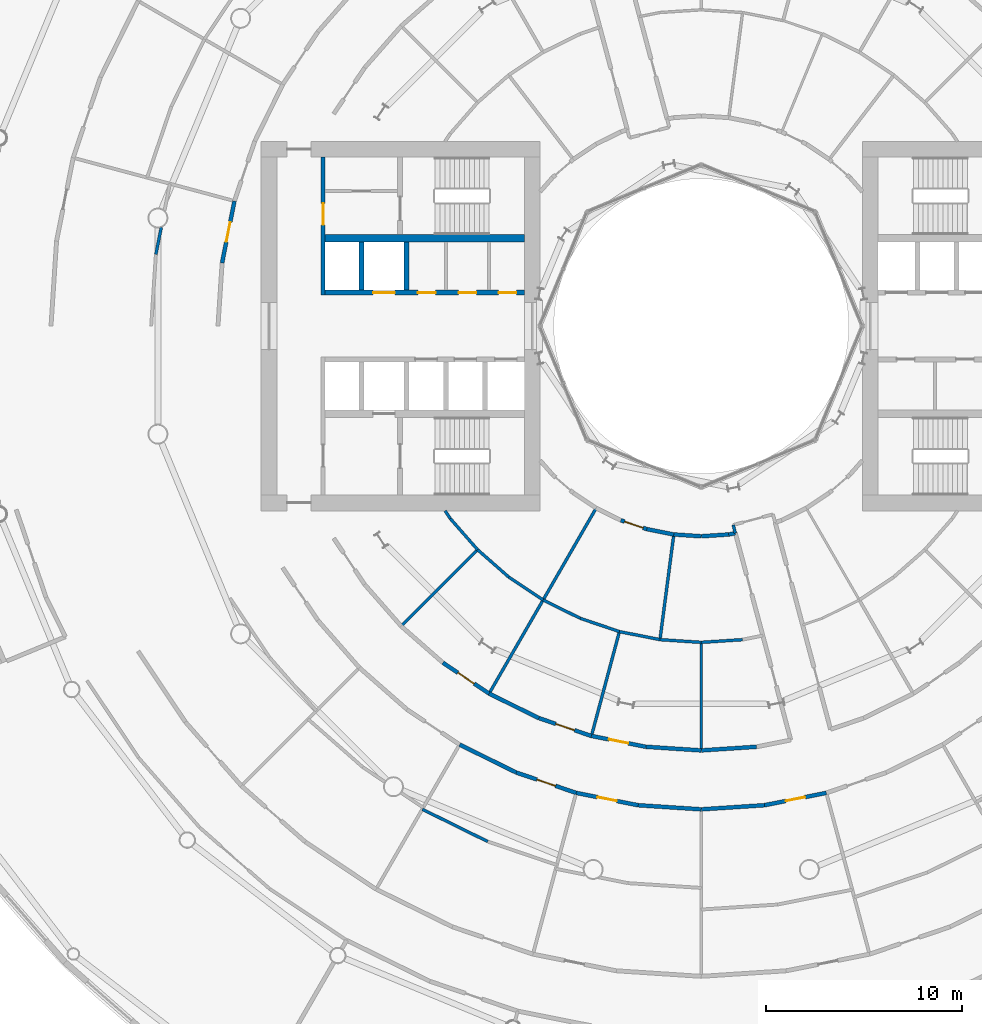
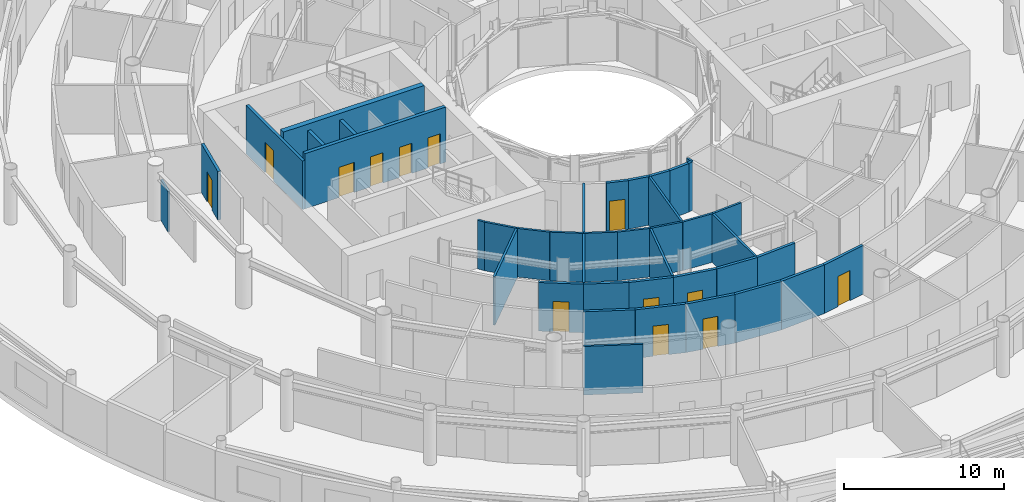
# One storey, part 15 of 29: 40 walls, 13 doors, 13 openings.
"""IFC4 building model written with IfcOpenShell, lengths in metres."""

from ifc_helpers import new_model, si_unit, direction, frame, frame_2d, origin, place, context, subcontext, project, spatial, rectangle, extrude, material, layer, layer_set, type_object, element, fill, save


model = new_model("IFC4")

# Units and contexts
model_context = context("Model", 3, precision=1e-05, world=origin(), true_north=direction((0.0, 1.0)))
body_context = subcontext(model_context, "Body", "Model", "MODEL_VIEW")
ifc_project = project(units=[si_unit("LENGTHUNIT", "METRE"), si_unit("AREAUNIT", "SQUARE_METRE"), si_unit("VOLUMEUNIT", "CUBIC_METRE"), si_unit("PLANEANGLEUNIT", "RADIAN"), si_unit("MASSUNIT", "GRAM", prefix="KILO")], contexts=[model_context])

# Site, building, storey
site_placement = place(None, origin())
site = spatial("IfcSite", under=ifc_project, at=site_placement, CompositionType="ELEMENT")
building_placement = place(site_placement, origin())
building = spatial("IfcBuilding", under=site, at=building_placement, Name="Maasbend Ring Residences", CompositionType="ELEMENT")
storey_placement = place(building_placement, frame((0.0, 0.0, 5.39990234375)))
storey = spatial("IfcBuildingStorey", under=building, at=storey_placement, Name="L01", CompositionType="ELEMENT", Elevation=5.39990234375)

# Wall, openings, doors
ifc_material_1 = material(Name="Concrete C70/85", Category="concrete")
ifc_layer_1 = layer(ifc_material_1, 0.25)
ifc_layer_set_1 = layer_set([ifc_layer_1], Name="Concrete C70/85")
wall_type_1 = type_object("IfcWallType", Name="CORE WALL 250 C70/85", PredefinedType="SHEAR", material=ifc_layer_set_1)
wall_1_placement = place(storey_placement, frame((-19.14990234375, 1.699951171875, 0.0), z_axis=(0.0, 0.0, 1.0), x_axis=(1.0, 0.0, 0.0)))
wall_1 = element("IfcWall", 1, at=wall_1_placement, inside=storey, type_object=wall_type_1, Name="L01 core W wall SPS", PredefinedType="SHEAR", context=body_context, shape_type="SweptSolid", body=[
    extrude(rectangle(XDim=10.14990234375, YDim=0.25, at=frame_2d((5.074951171875, 0.0))), origin(), (0.0, 0.0, 1.0), 4.2001953125),
])
opening_1_placement = place(wall_1_placement, frame((2.449951171875, 0.0, 0.0)))
opening_1 = element("IfcOpeningElement", 2, at=opening_1_placement, cuts=wall_1, Name="Opening LD-W0105", PredefinedType="OPENING", context=body_context, shape_type="SweptSolid", body=[
    extrude(rectangle(XDim=1.10009765625, YDim=2.300048828125, at=frame_2d((0.550048828125, 1.14990234375))), frame((0.0, 0.135009765625, 0.0), z_axis=(0.0, -1.0, 0.0), x_axis=(1.0, 0.0, 0.0)), (0.0, 0.0, 1.0), 0.27001953125),
])
opening_2_placement = place(wall_1_placement, frame((8.83740234375, 0.0, 0.0)))
opening_2 = element("IfcOpeningElement", 3, at=opening_2_placement, cuts=wall_1, Name="Opening D-W0106", PredefinedType="OPENING", context=body_context, shape_type="SweptSolid", body=[
    extrude(rectangle(XDim=0.89990234375, YDim=2.300048828125, at=frame_2d((0.449951171875, 1.14990234375))), frame((0.0, 0.135009765625, 0.0), z_axis=(0.0, -1.0, 0.0), x_axis=(1.0, 0.0, 0.0)), (0.0, 0.0, 1.0), 0.27001953125),
])
opening_3_placement = place(wall_1_placement, frame((6.800048828125, 0.0, 0.0)))
opening_3 = element("IfcOpeningElement", 4, at=opening_3_placement, cuts=wall_1, Name="Opening D-W0107", PredefinedType="OPENING", context=body_context, shape_type="SweptSolid", body=[
    extrude(rectangle(XDim=0.89990234375, YDim=2.300048828125, at=frame_2d((0.449951171875, 1.14990234375))), frame((0.0, 0.135009765625, 0.0), z_axis=(0.0, -1.0, 0.0), x_axis=(1.0, 0.0, 0.0)), (0.0, 0.0, 1.0), 0.27001953125),
])
opening_4_placement = place(wall_1_placement, frame((4.72509765625, 0.0, 0.0)))
opening_4 = element("IfcOpeningElement", 5, at=opening_4_placement, cuts=wall_1, Name="Opening D-W0108", PredefinedType="OPENING", context=body_context, shape_type="SweptSolid", body=[
    extrude(rectangle(XDim=0.89990234375, YDim=2.300048828125, at=frame_2d((0.449951171875, 1.14990234375))), frame((0.0, 0.135009765625, 0.0), z_axis=(0.0, -1.0, 0.0), x_axis=(1.0, 0.0, 0.0)), (0.0, 0.0, 1.0), 0.27001953125),
])
ifc_material_2 = material(Name="Stainless steel 316", Category="steel")
door_type_1 = type_object("IfcDoorType", Name="LANDING DOOR 1100 X 2300 FD60", OperationType="DOUBLE_DOOR_SLIDING", PredefinedType="DOOR", material=ifc_material_2)
door_1_placement = place(opening_1_placement, origin())
door_1 = element("IfcDoor", 6, at=door_1_placement, inside=storey, type_object=door_type_1, Name="Landing door SV-W L01", OperationType="DOUBLE_DOOR_SLIDING", OverallHeight=2.300048828125, OverallWidth=1.10009765625, PredefinedType="DOOR", context=body_context, shape_type="SweptSolid", body=[
    extrude(rectangle(XDim=1.10009765625, YDim=2.300048828125, at=frame_2d((0.550048828125, 1.14990234375))), frame((0.0, 0.02490234375, 0.0), z_axis=(0.0, -1.0, 0.0), x_axis=(1.0, 0.0, 0.0)), (0.0, 0.0, 1.0), 0.050048828125),
])
fill(opening_1, door_1)
ifc_material_3 = material(Name="Steel, powder coated", Category="steel")
door_type_2 = type_object("IfcDoorType", Name="ROOM DOOR 900 X 2300 FD30S", OperationType="NOTDEFINED", PredefinedType="DOOR", material=ifc_material_3)
door_2_placement = place(opening_2_placement, origin())
door_2 = element("IfcDoor", 7, at=door_2_placement, inside=storey, type_object=door_type_2, Name="Room door L01", OperationType="SINGLE_SWING_LEFT", OverallHeight=2.300048828125, OverallWidth=0.89990234375, PredefinedType="DOOR", context=body_context, shape_type="SweptSolid", body=[
    extrude(rectangle(XDim=0.89990234375, YDim=2.300048828125, at=frame_2d((0.449951171875, 1.14990234375))), frame((0.0, 0.02490234375, 0.0), z_axis=(0.0, -1.0, 0.0), x_axis=(1.0, 0.0, 0.0)), (0.0, 0.0, 1.0), 0.050048828125),
])
fill(opening_2, door_2)
door_3_placement = place(opening_3_placement, origin())
door_3 = element("IfcDoor", 8, at=door_3_placement, inside=storey, type_object=door_type_2, Name="Room door L01", OperationType="SINGLE_SWING_LEFT", OverallHeight=2.300048828125, OverallWidth=0.89990234375, PredefinedType="DOOR", context=body_context, shape_type="SweptSolid", body=[
    extrude(rectangle(XDim=0.89990234375, YDim=2.300048828125, at=frame_2d((0.449951171875, 1.14990234375))), frame((0.0, 0.02490234375, 0.0), z_axis=(0.0, -1.0, 0.0), x_axis=(1.0, 0.0, 0.0)), (0.0, 0.0, 1.0), 0.050048828125),
])
fill(opening_3, door_3)
door_4_placement = place(opening_4_placement, origin())
door_4 = element("IfcDoor", 9, at=door_4_placement, inside=storey, type_object=door_type_2, Name="Room door L01", OperationType="SINGLE_SWING_LEFT", OverallHeight=2.300048828125, OverallWidth=0.89990234375, PredefinedType="DOOR", context=body_context, shape_type="SweptSolid", body=[
    extrude(rectangle(XDim=0.89990234375, YDim=2.300048828125, at=frame_2d((0.449951171875, 1.14990234375))), frame((0.0, 0.02490234375, 0.0), z_axis=(0.0, -1.0, 0.0), x_axis=(1.0, 0.0, 0.0)), (0.0, 0.0, 1.0), 0.050048828125),
])
fill(opening_4, door_4)

# Walls
ifc_material_4 = material(Name="Concrete C70/85", Category="concrete")
ifc_layer_2 = layer(ifc_material_4, 0.375)
ifc_layer_set_2 = layer_set([ifc_layer_2], Name="Concrete C70/85")
wall_type_2 = type_object("IfcWallType", Name="CORE WALL 375 C70/85", PredefinedType="SHEAR", material=ifc_layer_set_2)
wall_2_placement = place(storey_placement, frame((-9.0, 4.46240234375, 0.0), z_axis=(0.0, 0.0, 1.0), x_axis=(-1.0, 0.0, 0.0)))
element("IfcWall", 10, at=wall_2_placement, inside=storey, type_object=wall_type_2, Name="L01 core W wall BS", PredefinedType="SHEAR", context=body_context, shape_type="SweptSolid", body=[
    extrude(rectangle(XDim=10.14990234375, YDim=0.375, at=frame_2d((5.074951171875, 0.0))), origin(), (0.0, 0.0, 1.0), 4.2001953125),
])
ifc_material_5 = material(Name="Concrete C30/37", Category="concrete")
ifc_layer_3 = layer(ifc_material_5, 0.199951171875)
ifc_layer_set_3 = layer_set([ifc_layer_3], Name="Concrete C30/37")
wall_type_3 = type_object("IfcWallType", Name="CORRIDOR WALL 200 CONCRETE", PredefinedType="PARTITIONING", material=ifc_layer_set_3)
wall_3_placement = place(storey_placement, frame((-12.300048828125, -21.303955078125, 0.0), z_axis=(0.0, 0.0, 1.0), x_axis=(0.896886949195, -0.442259878763, 0.0)))
element("IfcWall", 11, at=wall_3_placement, inside=storey, type_object=wall_type_3, Name="U-L01-w062", PredefinedType="PARTITIONING", context=body_context, shape_type="SweptSolid", body=[
    extrude(rectangle(XDim=3.2177734375, YDim=0.199951171875, at=frame_2d((1.60888671875, 0.0))), origin(), (0.0, 0.0, 1.0), 3.7001953125),
])

# Wall, opening, door
wall_4_placement = place(storey_placement, frame((-9.4140625, -22.72705078125, 0.0), z_axis=(0.0, 0.0, 1.0), x_axis=(0.946877665823, -0.321593976879, 0.0)))
wall_4 = element("IfcWall", 12, at=wall_4_placement, inside=storey, type_object=wall_type_3, Name="U-L01-w063", PredefinedType="PARTITIONING", context=body_context, shape_type="SweptSolid", body=[
    extrude(rectangle(XDim=3.218017578125, YDim=0.199951171875, at=frame_2d((1.60888671875, 0.0))), origin(), (0.0, 0.0, 1.0), 3.7001953125),
])
opening_5_placement = place(wall_4_placement, frame((1.10888671875, 0.0, 0.0)))
opening_5 = element("IfcOpeningElement", 13, at=opening_5_placement, cuts=wall_4, Name="Opening D-0158", PredefinedType="OPENING", context=body_context, shape_type="SweptSolid", body=[
    extrude(rectangle(XDim=1.0, YDim=2.300048828125, at=frame_2d((0.5, 1.14990234375))), frame((0.0, 0.10986328125, 0.0), z_axis=(0.0, -1.0, 0.0), x_axis=(1.0, 0.0, 0.0)), (0.0, 0.0, 1.0), 0.219970703125),
])
ifc_material_6 = material(Name="Timber, painted", Category="wood")
door_type_3 = type_object("IfcDoorType", Name="ROOM DOOR 1000 X 2300", OperationType="NOTDEFINED", PredefinedType="DOOR", material=ifc_material_6)
door_5_placement = place(opening_5_placement, origin())
door_5 = element("IfcDoor", 14, at=door_5_placement, inside=storey, type_object=door_type_3, Name="D-0158", OperationType="SINGLE_SWING_RIGHT", OverallHeight=2.300048828125, OverallWidth=1.0, PredefinedType="DOOR", context=body_context, shape_type="SweptSolid", body=[
    extrude(rectangle(XDim=1.0, YDim=2.300048828125, at=frame_2d((0.5, 1.14990234375))), frame((0.0, 0.02490234375, 0.0), z_axis=(0.0, -1.0, 0.0), x_axis=(1.0, 0.0, 0.0)), (0.0, 0.0, 1.0), 0.050048828125),
])
fill(opening_5, door_5)

wall_5_placement = place(storey_placement, frame((-6.366943359375, -23.761962890625, 0.0), z_axis=(0.0, 0.0, 1.0), x_axis=(0.98077570041, -0.195138477717, 0.0)))
wall_5 = element("IfcWall", 15, at=wall_5_placement, inside=storey, type_object=wall_type_3, Name="U-L01-w064", PredefinedType="PARTITIONING", context=body_context, shape_type="SweptSolid", body=[
    extrude(rectangle(XDim=3.2177734375, YDim=0.199951171875, at=frame_2d((1.60888671875, 0.0))), origin(), (0.0, 0.0, 1.0), 3.7001953125),
])
opening_6_placement = place(wall_5_placement, frame((1.10888671875, 0.0, 0.0)))
opening_6 = element("IfcOpeningElement", 16, at=opening_6_placement, cuts=wall_5, Name="Opening D-0160", PredefinedType="OPENING", context=body_context, shape_type="SweptSolid", body=[
    extrude(rectangle(XDim=1.0, YDim=2.300048828125, at=frame_2d((0.5, 1.14990234375))), frame((0.0, 0.10986328125, 0.0), z_axis=(0.0, -1.0, 0.0), x_axis=(1.0, 0.0, 0.0)), (0.0, 0.0, 1.0), 0.219970703125),
])
door_6_placement = place(opening_6_placement, origin())
door_6 = element("IfcDoor", 17, at=door_6_placement, inside=storey, type_object=door_type_3, Name="D-0160", OperationType="SINGLE_SWING_LEFT", OverallHeight=2.300048828125, OverallWidth=1.0, PredefinedType="DOOR", context=body_context, shape_type="SweptSolid", body=[
    extrude(rectangle(XDim=1.0, YDim=2.300048828125, at=frame_2d((0.5, 1.14990234375))), frame((0.0, 0.02490234375, 0.0), z_axis=(0.0, -1.0, 0.0), x_axis=(1.0, 0.0, 0.0)), (0.0, 0.0, 1.0), 0.050048828125),
])
fill(opening_6, door_6)

# Walls
for number, where, z_axis, x_axis, name in (
    (18, (-3.2109375, -24.389892578125, 0.0), (0.0, 0.0, 1.0), (0.997864008616, -0.06532549509, 0.0), "U-L01-w065"),
    (19, (0.0, -24.60009765625, 0.0), (0.0, 0.0, 1.0), (0.997864008616, 0.06532549509, 0.0), "U-L01-w066"),
):
    element("IfcWall", number, at=place(storey_placement, frame(where, z_axis=z_axis, x_axis=x_axis)), inside=storey, type_object=wall_type_3, Name=name, PredefinedType="PARTITIONING", context=body_context, shape_type="SweptSolid", body=[
        extrude(rectangle(XDim=3.2177734375, YDim=0.199951171875, at=frame_2d((1.60888671875, 0.0))), origin(), (0.0, 0.0, 1.0), 3.7001953125),
    ])

# Wall, opening, door
wall_6_placement = place(storey_placement, frame((3.2109375, -24.389892578125, 0.0), z_axis=(0.0, 0.0, 1.0), x_axis=(0.98077570041, 0.195138477717, 0.0)))
wall_6 = element("IfcWall", 20, at=wall_6_placement, inside=storey, type_object=wall_type_3, Name="U-L01-w067", PredefinedType="PARTITIONING", context=body_context, shape_type="SweptSolid", body=[
    extrude(rectangle(XDim=3.2177734375, YDim=0.199951171875, at=frame_2d((1.60888671875, 0.0))), origin(), (0.0, 0.0, 1.0), 3.7001953125),
])
opening_7_placement = place(wall_6_placement, frame((1.10888671875, 0.0, 0.0)))
opening_7 = element("IfcOpeningElement", 21, at=opening_7_placement, cuts=wall_6, Name="Opening D-0162", PredefinedType="OPENING", context=body_context, shape_type="SweptSolid", body=[
    extrude(rectangle(XDim=1.0, YDim=2.300048828125, at=frame_2d((0.5, 1.14990234375))), frame((0.0, 0.10986328125, 0.0), z_axis=(0.0, -1.0, 0.0), x_axis=(1.0, 0.0, 0.0)), (0.0, 0.0, 1.0), 0.219970703125),
])
door_7_placement = place(opening_7_placement, origin())
door_7 = element("IfcDoor", 22, at=door_7_placement, inside=storey, type_object=door_type_3, Name="D-0162", OperationType="SINGLE_SWING_RIGHT", OverallHeight=2.300048828125, OverallWidth=1.0, PredefinedType="DOOR", context=body_context, shape_type="SweptSolid", body=[
    extrude(rectangle(XDim=1.0, YDim=2.300048828125, at=frame_2d((0.5, 1.14990234375))), frame((0.0, 0.02490234375, 0.0), z_axis=(0.0, -1.0, 0.0), x_axis=(1.0, 0.0, 0.0)), (0.0, 0.0, 1.0), 0.050048828125),
])
fill(opening_7, door_7)

wall_7_placement = place(storey_placement, frame((-13.14892578125, -17.135986328125, 0.0), z_axis=(0.0, 0.0, 1.0), x_axis=(0.831371669473, -0.55571678686, 0.0)))
wall_7 = element("IfcWall", 23, at=wall_7_placement, inside=storey, type_object=wall_type_3, Name="U-L01-w077", PredefinedType="PARTITIONING", context=body_context, shape_type="SweptSolid", body=[
    extrude(rectangle(XDim=2.8251953125, YDim=0.199951171875, at=frame_2d((1.41259765625, 0.0))), origin(), (0.0, 0.0, 1.0), 3.7001953125),
])
opening_8_placement = place(wall_7_placement, frame((0.9130859375, 0.0, 0.0)))
opening_8 = element("IfcOpeningElement", 24, at=opening_8_placement, cuts=wall_7, Name="Opening D-0123", PredefinedType="OPENING", context=body_context, shape_type="SweptSolid", body=[
    extrude(rectangle(XDim=1.0, YDim=2.300048828125, at=frame_2d((0.5, 1.14990234375))), frame((0.0, 0.10986328125, 0.0), z_axis=(0.0, -1.0, 0.0), x_axis=(1.0, 0.0, 0.0)), (0.0, 0.0, 1.0), 0.219970703125),
])
door_8_placement = place(opening_8_placement, origin())
door_8 = element("IfcDoor", 25, at=door_8_placement, inside=storey, type_object=door_type_3, Name="D-0123", OperationType="SINGLE_SWING_LEFT", OverallHeight=2.300048828125, OverallWidth=1.0, PredefinedType="DOOR", context=body_context, shape_type="SweptSolid", body=[
    extrude(rectangle(XDim=1.0, YDim=2.300048828125, at=frame_2d((0.5, 1.14990234375))), frame((0.0, 0.02490234375, 0.0), z_axis=(0.0, -1.0, 0.0), x_axis=(1.0, 0.0, 0.0)), (0.0, 0.0, 1.0), 0.050048828125),
])
fill(opening_8, door_8)

# Wall
wall_8_placement = place(storey_placement, frame((-10.800048828125, -18.7060546875, 0.0), z_axis=(0.0, 0.0, 1.0), x_axis=(0.896816398134, -0.442402924988, 0.0)))
element("IfcWall", 26, at=wall_8_placement, inside=storey, type_object=wall_type_3, Name="U-L01-w078", PredefinedType="PARTITIONING", context=body_context, shape_type="SweptSolid", body=[
    extrude(rectangle(XDim=2.825439453125, YDim=0.199951171875, at=frame_2d((1.41259765625, 0.0))), origin(), (0.0, 0.0, 1.0), 3.7001953125),
])

# Wall, opening, door
wall_9_placement = place(storey_placement, frame((-8.26611328125, -19.9560546875, 0.0), z_axis=(0.0, 0.0, 1.0), x_axis=(0.946976353269, -0.321303262276, 0.0)))
wall_9 = element("IfcWall", 27, at=wall_9_placement, inside=storey, type_object=wall_type_3, Name="U-L01-w079", PredefinedType="PARTITIONING", context=body_context, shape_type="SweptSolid", body=[
    extrude(rectangle(XDim=2.825927734375, YDim=0.199951171875, at=frame_2d((1.4130859375, 0.0))), origin(), (0.0, 0.0, 1.0), 3.7001953125),
])
opening_9_placement = place(wall_9_placement, frame((0.9130859375, 0.0, 0.0)))
opening_9 = element("IfcOpeningElement", 28, at=opening_9_placement, cuts=wall_9, Name="Opening D-0124", PredefinedType="OPENING", context=body_context, shape_type="SweptSolid", body=[
    extrude(rectangle(XDim=1.0, YDim=2.300048828125, at=frame_2d((0.5, 1.14990234375))), frame((0.0, 0.10986328125, 0.0), z_axis=(0.0, -1.0, 0.0), x_axis=(1.0, 0.0, 0.0)), (0.0, 0.0, 1.0), 0.219970703125),
])
door_9_placement = place(opening_9_placement, origin())
door_9 = element("IfcDoor", 29, at=door_9_placement, inside=storey, type_object=door_type_3, Name="D-0124", OperationType="SINGLE_SWING_LEFT", OverallHeight=2.300048828125, OverallWidth=1.0, PredefinedType="DOOR", context=body_context, shape_type="SweptSolid", body=[
    extrude(rectangle(XDim=1.0, YDim=2.300048828125, at=frame_2d((0.5, 1.14990234375))), frame((0.0, 0.02490234375, 0.0), z_axis=(0.0, -1.0, 0.0), x_axis=(1.0, 0.0, 0.0)), (0.0, 0.0, 1.0), 0.050048828125),
])
fill(opening_9, door_9)

wall_10_placement = place(storey_placement, frame((-5.590087890625, -20.864013671875, 0.0), z_axis=(0.0, 0.0, 1.0), x_axis=(0.980796115138, -0.195035844217, 0.0)))
wall_10 = element("IfcWall", 30, at=wall_10_placement, inside=storey, type_object=wall_type_3, Name="U-L01-w080", PredefinedType="PARTITIONING", context=body_context, shape_type="SweptSolid", body=[
    extrude(rectangle(XDim=2.8251953125, YDim=0.199951171875, at=frame_2d((1.41259765625, 0.0))), origin(), (0.0, 0.0, 1.0), 3.7001953125),
])
opening_10_placement = place(wall_10_placement, frame((0.9130859375, 0.0, 0.0)))
opening_10 = element("IfcOpeningElement", 31, at=opening_10_placement, cuts=wall_10, Name="Opening D-0125", PredefinedType="OPENING", context=body_context, shape_type="SweptSolid", body=[
    extrude(rectangle(XDim=1.0, YDim=2.300048828125, at=frame_2d((0.5, 1.14990234375))), frame((0.0, 0.10986328125, 0.0), z_axis=(0.0, -1.0, 0.0), x_axis=(1.0, 0.0, 0.0)), (0.0, 0.0, 1.0), 0.219970703125),
])
door_10_placement = place(opening_10_placement, origin())
door_10 = element("IfcDoor", 32, at=door_10_placement, inside=storey, type_object=door_type_3, Name="D-0125", OperationType="SINGLE_SWING_LEFT", OverallHeight=2.300048828125, OverallWidth=1.0, PredefinedType="DOOR", context=body_context, shape_type="SweptSolid", body=[
    extrude(rectangle(XDim=1.0, YDim=2.300048828125, at=frame_2d((0.5, 1.14990234375))), frame((0.0, 0.02490234375, 0.0), z_axis=(0.0, -1.0, 0.0), x_axis=(1.0, 0.0, 0.0)), (0.0, 0.0, 1.0), 0.050048828125),
])
fill(opening_10, door_10)

# Walls
for number, where, z_axis, x_axis, name in (
    (33, (-2.819091796875, -21.4150390625, 0.0), (0.0, 0.0, 1.0), (0.99785232164, -0.065503772391, 0.0), "U-L01-w081"),
    (34, (0.0, -21.60009765625, 0.0), (0.0, 0.0, 1.0), (0.99785232164, 0.065503772391, 0.0), "U-L01-w082"),
):
    element("IfcWall", number, at=place(storey_placement, frame(where, z_axis=z_axis, x_axis=x_axis)), inside=storey, type_object=wall_type_3, Name=name, PredefinedType="PARTITIONING", context=body_context, shape_type="SweptSolid", body=[
        extrude(rectangle(XDim=2.8251953125, YDim=0.199951171875, at=frame_2d((1.41259765625, 0.0))), origin(), (0.0, 0.0, 1.0), 3.7001953125),
    ])

# Wall, opening, door
wall_11_placement = place(storey_placement, frame((-4.094970703125, -9.885986328125, 0.0), z_axis=(0.0, 0.0, 1.0), x_axis=(0.947172777338, -0.320723759441, 0.0)))
wall_11 = element("IfcWall", 35, at=wall_11_placement, inside=storey, type_object=wall_type_3, Name="U-L01-w110", PredefinedType="PARTITIONING", context=body_context, shape_type="SweptSolid", body=[
    extrude(rectangle(XDim=1.39990234375, YDim=0.199951171875, at=frame_2d((0.699951171875, 0.0))), origin(), (0.0, 0.0, 1.0), 3.7001953125),
])
opening_11_placement = place(wall_11_placement, frame((0.199951171875, 0.0, 0.0)))
opening_11 = element("IfcOpeningElement", 36, at=opening_11_placement, cuts=wall_11, Name="Opening D-0110", PredefinedType="OPENING", context=body_context, shape_type="SweptSolid", body=[
    extrude(rectangle(XDim=1.0, YDim=2.300048828125, at=frame_2d((0.5, 1.14990234375))), frame((0.0, 0.10986328125, 0.0), z_axis=(0.0, -1.0, 0.0), x_axis=(1.0, 0.0, 0.0)), (0.0, 0.0, 1.0), 0.219970703125),
])
door_11_placement = place(opening_11_placement, origin())
door_11 = element("IfcDoor", 37, at=door_11_placement, inside=storey, type_object=door_type_3, Name="D-0110", OperationType="SINGLE_SWING_RIGHT", OverallHeight=2.300048828125, OverallWidth=1.0, PredefinedType="DOOR", context=body_context, shape_type="SweptSolid", body=[
    extrude(rectangle(XDim=1.0, YDim=2.300048828125, at=frame_2d((0.5, 1.14990234375))), frame((0.0, 0.02490234375, 0.0), z_axis=(0.0, -1.0, 0.0), x_axis=(1.0, 0.0, 0.0)), (0.0, 0.0, 1.0), 0.050048828125),
])
fill(opening_11, door_11)

# Walls
wall_12_placement = place(storey_placement, frame((-2.76904296875, -10.3349609375, 0.0), z_axis=(0.0, 0.0, 1.0), x_axis=(0.98078152375, -0.195109207038, 0.0)))
element("IfcWall", 38, at=wall_12_placement, inside=storey, type_object=wall_type_3, Name="U-L01-w111", PredefinedType="PARTITIONING", context=body_context, shape_type="SweptSolid", body=[
    extrude(rectangle(XDim=1.39892578125, YDim=0.199951171875, at=frame_2d((0.699462890625, 0.0))), origin(), (0.0, 0.0, 1.0), 3.7001953125),
])
for number, where, z_axis, x_axis, name in (
    (39, (-1.39697265625, -10.60791015625, 0.0), (0.0, 0.0, 1.0), (0.997836555004, -0.065743512974, 0.0), "U-L01-w112"),
    (40, (0.0, -10.699951171875, 0.0), (0.0, 0.0, 1.0), (0.997836555004, 0.065743512974, 0.0), "U-L01-w113"),
):
    element("IfcWall", number, at=place(storey_placement, frame(where, z_axis=z_axis, x_axis=x_axis)), inside=storey, type_object=wall_type_3, Name=name, PredefinedType="PARTITIONING", context=body_context, shape_type="SweptSolid", body=[
        extrude(rectangle(XDim=1.39990234375, YDim=0.199951171875, at=frame_2d((0.699951171875, 0.0))), origin(), (0.0, 0.0, 1.0), 3.7001953125),
    ])
wall_13_placement = place(storey_placement, frame((1.39697265625, -10.60791015625, 0.0), z_axis=(0.0, 0.0, 1.0), x_axis=(0.980661821505, 0.195709968685, 0.0)))
element("IfcWall", 41, at=wall_13_placement, inside=storey, type_object=wall_type_3, Name="U-L01-w114", PredefinedType="PARTITIONING", context=body_context, shape_type="SweptSolid", body=[
    extrude(rectangle(XDim=0.3466796875, YDim=0.199951171875, at=frame_2d((0.17333984375, 0.0))), origin(), (0.0, 0.0, 1.0), 3.7001953125),
])

# Wall, opening, door
wall_14_placement = place(storey_placement, frame((-24.389892578125, 3.2109375, 0.0), z_axis=(0.0, 0.0, 1.0), x_axis=(0.195138477717, 0.98077570041, 0.0)))
wall_14 = element("IfcWall", 42, at=wall_14_placement, inside=storey, type_object=wall_type_3, Name="U-L01-w241", PredefinedType="PARTITIONING", context=body_context, shape_type="SweptSolid", body=[
    extrude(rectangle(XDim=3.2177734375, YDim=0.199951171875, at=frame_2d((1.60888671875, 0.0))), origin(), (0.0, 0.0, 1.0), 3.7001953125),
])
opening_12_placement = place(wall_14_placement, frame((1.10888671875, 0.0, 0.0)))
opening_12 = element("IfcOpeningElement", 43, at=opening_12_placement, cuts=wall_14, Name="Opening D-0152", PredefinedType="OPENING", context=body_context, shape_type="SweptSolid", body=[
    extrude(rectangle(XDim=1.0, YDim=2.300048828125, at=frame_2d((0.5, 1.14990234375))), frame((0.0, 0.10986328125, 0.0), z_axis=(0.0, -1.0, 0.0), x_axis=(1.0, 0.0, 0.0)), (0.0, 0.0, 1.0), 0.219970703125),
])
door_12_placement = place(opening_12_placement, origin())
door_12 = element("IfcDoor", 44, at=door_12_placement, inside=storey, type_object=door_type_3, Name="D-0152", OperationType="SINGLE_SWING_RIGHT", OverallHeight=2.300048828125, OverallWidth=1.0, PredefinedType="DOOR", context=body_context, shape_type="SweptSolid", body=[
    extrude(rectangle(XDim=1.0, YDim=2.300048828125, at=frame_2d((0.5, 1.14990234375))), frame((0.0, 0.02490234375, 0.0), z_axis=(0.0, -1.0, 0.0), x_axis=(1.0, 0.0, 0.0)), (0.0, 0.0, 1.0), 0.050048828125),
])
fill(opening_12, door_12)

# Walls
ifc_material_7 = material(Name="Gypsum board on steel studs", Category="steel")
ifc_layer_4 = layer(ifc_material_7, 0.14990234375)
ifc_layer_set_4 = layer_set([ifc_layer_4], Name="PARTITION 150 GYPSUM")
wall_type_4 = type_object("IfcWallType", Name="PARTITION 150 GYPSUM", PredefinedType="PARTITIONING", material=ifc_layer_set_4)
wall_15_placement = place(storey_placement, frame((-14.199951171875, -24.594970703125, 0.0), z_axis=(0.0, 0.0, 1.0), x_axis=(0.896884439776, -0.442264967738, 0.0)))
element("IfcWall", 45, at=wall_15_placement, inside=storey, type_object=wall_type_4, Name="U-L01-w048", PredefinedType="PARTITIONING", context=body_context, shape_type="SweptSolid", body=[
    extrude(rectangle(XDim=3.715087890625, YDim=0.14990234375, at=frame_2d((1.857421875, 0.0))), origin(), (0.0, 0.0, 1.0), 3.7001953125),
])
wall_16_placement = place(storey_placement, frame((-13.041015625, -9.39990234375, 0.0), z_axis=(0.0, 0.0, 1.0), x_axis=(0.555634077892, -0.831426948977, 0.0)))
element("IfcWall", 46, at=wall_16_placement, inside=storey, type_object=wall_type_4, Name="U-L01-w090", PredefinedType="PARTITIONING", context=body_context, shape_type="SweptSolid", body=[
    extrude(rectangle(XDim=0.482421875, YDim=0.14990234375, at=frame_2d((0.2412109375, 0.0))), origin(), (0.0, 0.0, 1.0), 3.7001953125),
])
for number, where, z_axis, x_axis, name in (
    (47, (-12.77294921875, -9.801025390625, 0.0), (0.0, 0.0, 1.0), (0.659521721275, -0.751685505492, 0.0), "U-L01-w091"),
    (48, (-11.384033203125, -11.384033203125, 0.0), (0.0, 0.0, 1.0), (0.751685505492, -0.659521721275, 0.0), "U-L01-w092"),
    (49, (-9.801025390625, -12.77294921875, 0.0), (0.0, 0.0, 1.0), (0.831425547365, -0.555636175198, 0.0), "U-L01-w093"),
    (50, (-8.050048828125, -13.943115234375, 0.0), (0.0, 0.0, 1.0), (0.897008779175, -0.442012726156, 0.0), "U-L01-w094"),
):
    element("IfcWall", number, at=place(storey_placement, frame(where, z_axis=z_axis, x_axis=x_axis)), inside=storey, type_object=wall_type_4, Name=name, PredefinedType="PARTITIONING", context=body_context, shape_type="SweptSolid", body=[
        extrude(rectangle(XDim=2.10595703125, YDim=0.14990234375, at=frame_2d((1.052978515625, 0.0))), origin(), (0.0, 0.0, 1.0), 3.7001953125),
    ])
wall_17_placement = place(storey_placement, frame((-6.160888671875, -14.8740234375, 0.0), z_axis=(0.0, 0.0, 1.0), x_axis=(0.94690623261, -0.321509854662, 0.0)))
element("IfcWall", 51, at=wall_17_placement, inside=storey, type_object=wall_type_4, Name="U-L01-w095", PredefinedType="PARTITIONING", context=body_context, shape_type="SweptSolid", body=[
    extrude(rectangle(XDim=2.105712890625, YDim=0.14990234375, at=frame_2d((1.052734375, 0.0))), origin(), (0.0, 0.0, 1.0), 3.7001953125),
])
wall_18_placement = place(storey_placement, frame((-4.1669921875, -15.551025390625, 0.0), z_axis=(0.0, 0.0, 1.0), x_axis=(0.980789636989, -0.195068418702, 0.0)))
element("IfcWall", 52, at=wall_18_placement, inside=storey, type_object=wall_type_4, Name="U-L01-w096", PredefinedType="PARTITIONING", context=body_context, shape_type="SweptSolid", body=[
    extrude(rectangle(XDim=2.1064453125, YDim=0.14990234375, at=frame_2d((1.05322265625, 0.0))), origin(), (0.0, 0.0, 1.0), 3.7001953125),
])
for number, where, z_axis, x_axis, name in (
    (53, (-2.10107421875, -15.9619140625, 0.0), (0.0, 0.0, 1.0), (0.997844271403, -0.065626290683, 0.0), "U-L01-w097"),
    (54, (0.0, -16.10009765625, 0.0), (0.0, 0.0, 1.0), (0.997844271403, 0.065626290683, 0.0), "U-L01-w098"),
):
    element("IfcWall", number, at=place(storey_placement, frame(where, z_axis=z_axis, x_axis=x_axis)), inside=storey, type_object=wall_type_4, Name=name, PredefinedType="PARTITIONING", context=body_context, shape_type="SweptSolid", body=[
        extrude(rectangle(XDim=2.105712890625, YDim=0.14990234375, at=frame_2d((1.052734375, 0.0))), origin(), (0.0, 0.0, 1.0), 3.7001953125),
    ])
wall_19_placement = place(storey_placement, frame((1.625, -10.1240234375, 0.0), z_axis=(0.0, 0.0, 1.0), x_axis=(0.260095400254, -0.965582923817, 0.0)))
element("IfcWall", 55, at=wall_19_placement, inside=storey, type_object=wall_type_4, Name="U-L01-w127", PredefinedType="PARTITIONING", context=body_context, shape_type="SweptSolid", body=[
    extrude(rectangle(XDim=0.430908203125, YDim=0.14990234375, at=frame_2d((0.21533203125, 0.0))), origin(), (0.0, 0.0, 1.0), 3.7001953125),
])
wall_20_placement = place(storey_placement, frame((-15.27392578125, -15.27392578125, 0.0), z_axis=(0.0, 0.0, 1.0), x_axis=(0.707106781187, 0.707106781187, 0.0)))
element("IfcWall", 56, at=wall_20_placement, inside=storey, type_object=wall_type_4, Name="U-L01-w142", PredefinedType="PARTITIONING", context=body_context, shape_type="SweptSolid", body=[
    extrude(rectangle(XDim=5.501220703125, YDim=0.14990234375, at=frame_2d((2.75048828125, 0.0))), origin(), (0.0, 0.0, 1.0), 3.7001953125),
])
wall_21_placement = place(storey_placement, frame((-10.799072265625, -18.7060546875, 0.0), z_axis=(0.0, 0.0, 1.0), x_axis=(0.500024928676, 0.866011010728, 0.0)))
element("IfcWall", 57, at=wall_21_placement, inside=storey, type_object=wall_type_4, Name="U-L01-w147", PredefinedType="PARTITIONING", context=body_context, shape_type="SweptSolid", body=[
    extrude(rectangle(XDim=10.8994140625, YDim=0.14990234375, at=frame_2d((5.44970703125, 0.0))), origin(), (0.0, 0.0, 1.0), 3.7001953125),
])
wall_22_placement = place(storey_placement, frame((-5.589111328125, -20.864013671875, 0.0), z_axis=(0.0, 0.0, 1.0), x_axis=(0.258897298886, 0.965904854853, 0.0)))
element("IfcWall", 58, at=wall_22_placement, inside=storey, type_object=wall_type_4, Name="U-L01-w153", PredefinedType="PARTITIONING", context=body_context, shape_type="SweptSolid", body=[
    extrude(rectangle(XDim=5.50048828125, YDim=0.14990234375, at=frame_2d((2.750244140625, 0.0))), origin(), (0.0, 0.0, 1.0), 3.7001953125),
])
wall_23_placement = place(storey_placement, frame((-2.10107421875, -15.9619140625, 0.0), z_axis=(0.0, 0.0, 1.0), x_axis=(0.130386681336, 0.991463218345, 0.0)))
element("IfcWall", 59, at=wall_23_placement, inside=storey, type_object=wall_type_4, Name="U-L01-w155", PredefinedType="PARTITIONING", context=body_context, shape_type="SweptSolid", body=[
    extrude(rectangle(XDim=5.400146484375, YDim=0.14990234375, at=frame_2d((2.7001953125, 0.0))), origin(), (0.0, 0.0, 1.0), 3.7001953125),
])
wall_24_placement = place(storey_placement, frame((0.0, -21.60009765625, 0.0), z_axis=(0.0, 0.0, 1.0), x_axis=(0.0, 1.0, 0.0)))
element("IfcWall", 60, at=wall_24_placement, inside=storey, type_object=wall_type_4, Name="U-L01-w159", PredefinedType="PARTITIONING", context=body_context, shape_type="SweptSolid", body=[
    extrude(rectangle(XDim=5.5, YDim=0.14990234375, at=frame_2d((2.75, 0.0))), origin(), (0.0, 0.0, 1.0), 3.7001953125),
])
wall_25_placement = place(storey_placement, frame((-27.760009765625, 3.655029296875, 0.0), z_axis=(0.0, 0.0, 1.0), x_axis=(0.195109207038, 0.98078152375, 0.0)))
element("IfcWall", 61, at=wall_25_placement, inside=storey, type_object=wall_type_4, Name="U-L01-w265", PredefinedType="PARTITIONING", context=body_context, shape_type="SweptSolid", body=[
    extrude(rectangle(XDim=1.39892578125, YDim=0.14990234375, at=frame_2d((0.699462890625, 0.0))), origin(), (0.0, 0.0, 1.0), 3.080078125),
])

# Wall, opening, door
ifc_material_8 = material(Name="Concrete C30/37", Category="concrete")
ifc_layer_5 = layer(ifc_material_8, 0.199951171875)
ifc_layer_set_5 = layer_set([ifc_layer_5], Name="Concrete C30/37")
wall_type_5 = type_object("IfcWallType", Name="SHAFT WALL 200 EI 120", PredefinedType="SOLIDWALL", material=ifc_layer_set_5)
wall_26_placement = place(storey_placement, frame((-19.25, 8.60009765625, 0.0), z_axis=(0.0, 0.0, 1.0), x_axis=(0.0, -1.0, 0.0)))
wall_26 = element("IfcWall", 62, at=wall_26_placement, inside=storey, type_object=wall_type_5, Name="L01 core W wall ENDS", PredefinedType="SOLIDWALL", context=body_context, shape_type="SweptSolid", body=[
    extrude(rectangle(XDim=7.025146484375, YDim=0.199951171875, at=frame_2d((3.5126953125, 0.0))), origin(), (0.0, 0.0, 1.0), 3.7001953125),
])
opening_13_placement = place(wall_26_placement, frame((2.35009765625, 0.0, 0.0)))
opening_13 = element("IfcOpeningElement", 63, at=opening_13_placement, cuts=wall_26, Name="Opening D-W0113", PredefinedType="OPENING", context=body_context, shape_type="SweptSolid", body=[
    extrude(rectangle(XDim=1.10009765625, YDim=2.300048828125, at=frame_2d((0.550048828125, 1.14990234375))), frame((0.0, 0.10986328125, 0.0), z_axis=(0.0, -1.0, 0.0), x_axis=(1.0, 0.0, 0.0)), (0.0, 0.0, 1.0), 0.219970703125),
])
ifc_material_9 = material(Name="Steel, powder coated", Category="steel")
door_type_4 = type_object("IfcDoorType", Name="LOBBY DOOR 1100 X 2300 FD60", OperationType="NOTDEFINED", PredefinedType="DOOR", material=ifc_material_9)
door_13_placement = place(opening_13_placement, origin())
door_13 = element("IfcDoor", 64, at=door_13_placement, inside=storey, type_object=door_type_4, Name="Lobby door L01", OperationType="SINGLE_SWING_RIGHT", OverallHeight=2.300048828125, OverallWidth=1.10009765625, PredefinedType="DOOR", context=body_context, shape_type="SweptSolid", body=[
    extrude(rectangle(XDim=1.10009765625, YDim=2.300048828125, at=frame_2d((0.550048828125, 1.14990234375))), frame((0.0, 0.02490234375, 0.0), z_axis=(0.0, -1.0, 0.0), x_axis=(1.0, 0.0, 0.0)), (0.0, 0.0, 1.0), 0.050048828125),
])
fill(opening_13, door_13)

# Walls
ifc_material_10 = material(Name="Concrete C30/37", Category="concrete")
ifc_layer_6 = layer(ifc_material_10, 0.25)
ifc_layer_set_6 = layer_set([ifc_layer_6], Name="Concrete C30/37")
wall_type_6 = type_object("IfcWallType", Name="SHAFT WALL 250 EI 120", PredefinedType="SOLIDWALL", material=ifc_layer_set_6)
for number, where, z_axis, x_axis, name in (
    (65, (-15.0, 1.824951171875, 0.0), (0.0, 0.0, 1.0), (0.0, 1.0, 0.0), "L01 core W wall D150S"),
    (66, (-17.300048828125, 1.824951171875, 0.0), (0.0, 0.0, 1.0), (0.0, 1.0, 0.0), "L01 core W wall D173S"),
):
    element("IfcWall", number, at=place(storey_placement, frame(where, z_axis=z_axis, x_axis=x_axis)), inside=storey, type_object=wall_type_6, Name=name, PredefinedType="SOLIDWALL", context=body_context, shape_type="SweptSolid", body=[
        extrude(rectangle(XDim=2.449951171875, YDim=0.25, at=frame_2d((1.22509765625, 0.0))), origin(), (0.0, 0.0, 1.0), 3.7001953125),
    ])

save(model, "model.ifc")
